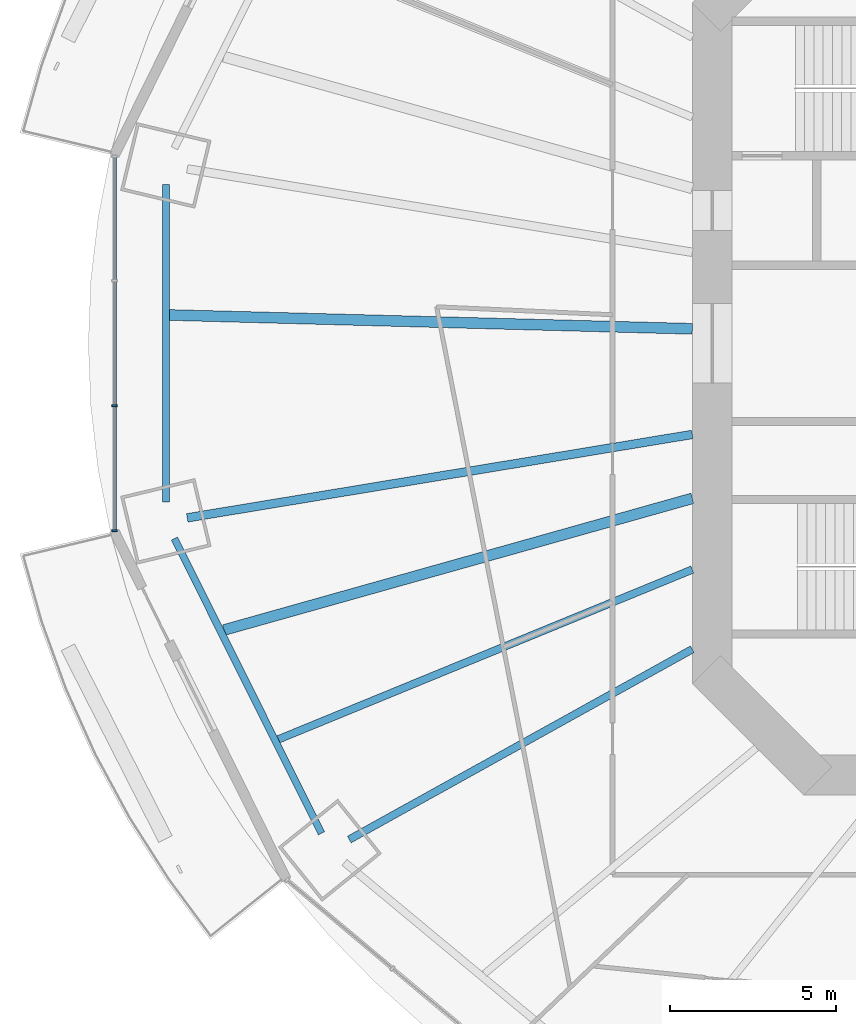
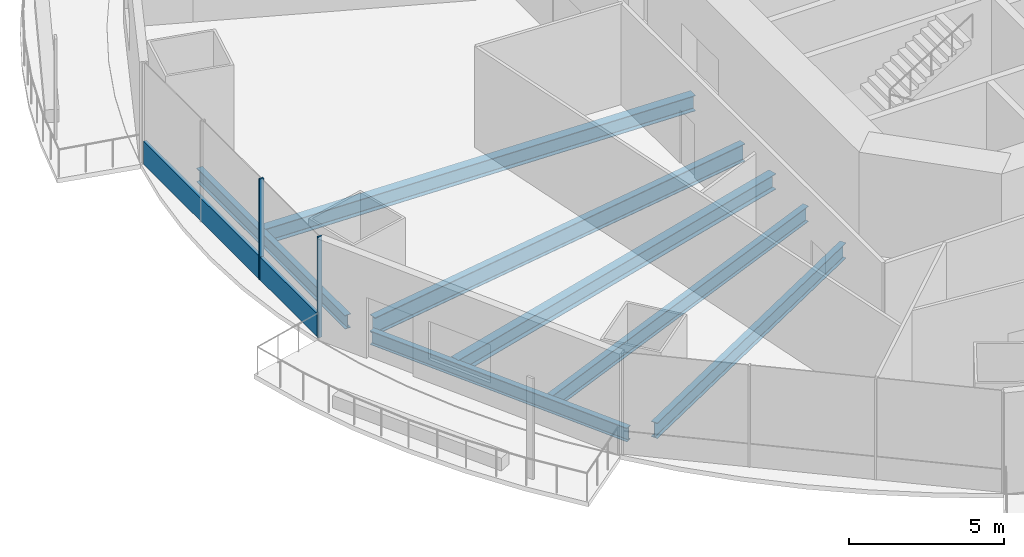
# One storey, part 3 of 22: 7 beams, 3 members, 1 element without a shape of its own.
"""IFC4 building model written with IfcOpenShell, lengths in metres."""

from ifc_helpers import new_model, si_unit, direction, frame, origin, origin_2d, place, context, subcontext, project, spatial, rectangle, i_section, extrude, material, material_profile, profile_set, type_object, element, aggregate, save


model = new_model("IFC4")

# Units and contexts
model_context = context("Model", 3, precision=1e-05, world=origin(), true_north=direction((0.0, 1.0)))
body_context = subcontext(model_context, "Body", "Model", "MODEL_VIEW")
ifc_project = project(units=[si_unit("LENGTHUNIT", "METRE"), si_unit("AREAUNIT", "SQUARE_METRE"), si_unit("VOLUMEUNIT", "CUBIC_METRE"), si_unit("PLANEANGLEUNIT", "RADIAN"), si_unit("MASSUNIT", "GRAM", prefix="KILO")], contexts=[model_context])

# Site, building, storey
site_placement = place(None, origin())
site = spatial("IfcSite", under=ifc_project, at=site_placement, CompositionType="ELEMENT")
building_placement = place(site_placement, origin())
building = spatial("IfcBuilding", under=site, at=building_placement, Name="Marenthal Gate Tower", CompositionType="ELEMENT")
storey_placement = place(building_placement, frame((0.0, 0.0, 103.550048828125)))
storey = spatial("IfcBuildingStorey", under=building, at=storey_placement, Name="L21", CompositionType="ELEMENT", Elevation=103.550048828125)

# Curtain wall, members
ifc_material_1 = material(Name="Aluminium and glass", Category="aluminium")
curtain_wall_type = type_object("IfcCurtainWallType", Name="Curtain wall typical low", PredefinedType="NOTDEFINED", material=ifc_material_1)
curtain_wall_placement = place(storey_placement, origin())
curtain_wall = element("IfcCurtainWall", 1, at=curtain_wall_placement, inside=storey, type_object=curtain_wall_type, Name="Curtain wall L21 bay 8", PredefinedType="NOTDEFINED")
ifc_material_2 = material(Name="Aluminium", Category="aluminium")
ifc_material_profile_1 = material_profile(ifc_material_2, rectangle(XDim=0.159912109375, YDim=0.06005859375, at=origin_2d()), Name="60x160 aluminium mullion")
ifc_profile_set_1 = profile_set([ifc_material_profile_1], Name="Aluminium")
member_type_1 = type_object("IfcMemberType", Name="Mullion 60x160 typical low", PredefinedType="MULLION", material=ifc_profile_set_1)
member_1_placement = place(storey_placement, frame((-34.001953125, -1.87939453125, 0.0), z_axis=(0.0, 0.0, 1.0), x_axis=(1.0, 0.0, 0.0)))
member_1 = element("IfcMember", 2, at=member_1_placement, type_object=member_type_1, Name="Mullion L21 bay 8.3", PredefinedType="MULLION", context=body_context, shape_type="SweptSolid", body=[
    extrude(rectangle(XDim=0.159912109375, YDim=0.06005859375, at=origin_2d()), origin(), (0.0, 0.0, 1.0), 3.969970703125),
])
member_2_placement = place(storey_placement, frame((-34.001953125, -5.637939453125, 0.0), z_axis=(0.0, 0.0, 1.0), x_axis=(1.0, 0.0, 0.0)))
member_2 = element("IfcMember", 3, at=member_2_placement, type_object=member_type_1, Name="Mullion L21 bay 8.4", PredefinedType="MULLION", context=body_context, shape_type="SweptSolid", body=[
    extrude(rectangle(XDim=0.159912109375, YDim=0.06005859375, at=origin_2d()), origin(), (0.0, 0.0, 1.0), 3.969970703125),
])
ifc_material_3 = material(Name="Aluminium", Category="aluminium")
ifc_material_profile_2 = material_profile(ifc_material_3, rectangle(XDim=0.1201171875, YDim=0.89990234375, at=origin_2d()), Name="120x900 aluminium transom")
ifc_profile_set_2 = profile_set([ifc_material_profile_2], Name="Aluminium")
member_type_2 = type_object("IfcMemberType", Name="Transom 120x900 typical low", PredefinedType="USERDEFINED", material=ifc_profile_set_2)
member_3_placement = place(storey_placement, frame((-34.001953125, 5.60791015625, 0.449951171875), z_axis=(0.0, -1.0, 0.0), x_axis=(1.0, 0.0, 0.0)))
member_3 = element("IfcMember", 4, at=member_3_placement, type_object=member_type_2, Name="Transom L21 bay 8", ObjectType="TRANSOM", PredefinedType="USERDEFINED", context=body_context, shape_type="SweptSolid", body=[
    extrude(rectangle(XDim=0.1201171875, YDim=0.89990234375, at=origin_2d()), origin(), (0.0, 0.0, 1.0), 11.2158203125),
])
aggregate(curtain_wall, [member_1, member_2, member_3])

# Beams
ifc_material_4 = material(Name="Steel S355", Category="steel")
ifc_material_profile_3 = material_profile(ifc_material_4, i_section(OverallWidth=0.2119140625, OverallDepth=0.5439453125, WebThickness=0.01318359375, FlangeThickness=0.021240234375, FilletRadius=0.0126953125, at=origin_2d()), Name="W530X123")
ifc_profile_set_3 = profile_set([ifc_material_profile_3], Name="Steel S355")
beam_type_1 = type_object("IfcBeamType", Name="W530X123 beam", PredefinedType="BEAM", material=ifc_profile_set_3)
beam_1_placement = place(storey_placement, frame((-32.4521484375, 4.780029296875, -0.4521484375), z_axis=(0.0, -1.0, 0.0), x_axis=(1.0, 0.0, 0.0)))
element("IfcBeam", 5, at=beam_1_placement, inside=storey, type_object=beam_type_1, Name="BM-L21-48", PredefinedType="BEAM", context=body_context, shape_type="SweptSolid", body=[
    extrude(i_section(OverallWidth=0.2119140625, OverallDepth=0.5439453125, WebThickness=0.01318359375, FlangeThickness=0.021240234375, FilletRadius=0.0126953125, at=origin_2d()), origin(), (0.0, 0.0, 1.0), 9.56005859375),
])
beam_2_placement = place(storey_placement, frame((-32.1943359375, -5.876708984375, -0.4521484375), z_axis=(0.446405750938, -0.89483065746, 0.0), x_axis=(0.89483065746, 0.446405750938, 0.0)))
element("IfcBeam", 6, at=beam_2_placement, inside=storey, type_object=beam_type_1, Name="BM-L21-49", PredefinedType="BEAM", context=body_context, shape_type="SweptSolid", body=[
    extrude(i_section(OverallWidth=0.2119140625, OverallDepth=0.5439453125, WebThickness=0.01318359375, FlangeThickness=0.021240234375, FilletRadius=0.0126953125, at=origin_2d()), origin(), (0.0, 0.0, 1.0), 9.914794921875),
])
ifc_material_5 = material(Name="Steel S355", Category="steel")
ifc_material_profile_4 = material_profile(ifc_material_5, i_section(OverallWidth=0.22900390625, OverallDepth=0.612060546875, WebThickness=0.011962890625, FlangeThickness=0.01953125, FilletRadius=0.0126953125, at=origin_2d()), Name="W610X125")
ifc_profile_set_4 = profile_set([ifc_material_profile_4], Name="Steel S355")
beam_type_2 = type_object("IfcBeamType", Name="W610X125 beam", PredefinedType="BEAM", material=ifc_profile_set_4)
beam_3_placement = place(storey_placement, frame((-26.928466796875, -14.939697265625, -0.486083984375), z_axis=(0.874435979354, 0.485140925929, 0.0), x_axis=(-0.485140925929, 0.874435979354, 0.0)))
element("IfcBeam", 7, at=beam_3_placement, inside=storey, type_object=beam_type_2, Name="BM-L21-10", PredefinedType="BEAM", context=body_context, shape_type="SweptSolid", body=[
    extrude(i_section(OverallWidth=0.22900390625, OverallDepth=0.612060546875, WebThickness=0.011962890625, FlangeThickness=0.01953125, FilletRadius=0.0126953125, at=origin_2d()), origin(), (0.0, 0.0, 1.0), 11.8115234375),
])
beam_4_placement = place(storey_placement, frame((-29.060302734375, -11.921630859375, -0.486083984375), z_axis=(0.925176615925, 0.379536861642, 0.0), x_axis=(-0.379536861642, 0.925176615925, 0.0)))
element("IfcBeam", 8, at=beam_4_placement, inside=storey, type_object=beam_type_2, Name="BM-L21-30", PredefinedType="BEAM", context=body_context, shape_type="SweptSolid", body=[
    extrude(i_section(OverallWidth=0.22900390625, OverallDepth=0.612060546875, WebThickness=0.011962890625, FlangeThickness=0.01953125, FilletRadius=0.0126953125, at=origin_2d()), origin(), (0.0, 0.0, 1.0), 13.468017578125),
])
ifc_material_6 = material(Name="Steel S355", Category="steel")
ifc_material_profile_5 = material_profile(ifc_material_6, i_section(OverallWidth=0.324951171875, OverallDepth=0.612060546875, WebThickness=0.0126953125, FlangeThickness=0.01904296875, FilletRadius=0.0126953125, at=origin_2d()), Name="W610X155")
ifc_profile_set_5 = profile_set([ifc_material_profile_5], Name="Steel S355")
beam_type_3 = type_object("IfcBeamType", Name="W610X155 beam", PredefinedType="BEAM", material=ifc_profile_set_5)
beam_5_placement = place(storey_placement, frame((-32.34619140625, 0.854736328125, -0.486083984375), z_axis=(0.999651167987, -0.026411026889, 0.0), x_axis=(0.026411026889, 0.999651167987, 0.0)))
element("IfcBeam", 9, at=beam_5_placement, inside=storey, type_object=beam_type_3, Name="BM-L21-28", PredefinedType="BEAM", context=body_context, shape_type="SweptSolid", body=[
    extrude(i_section(OverallWidth=0.324951171875, OverallDepth=0.612060546875, WebThickness=0.0126953125, FlangeThickness=0.01904296875, FilletRadius=0.0126953125, at=origin_2d()), origin(), (0.0, 0.0, 1.0), 15.751708984375),
])
beam_6_placement = place(storey_placement, frame((-30.701416015625, -8.631591796875, -0.486083984375), z_axis=(0.962675778396, 0.270657247621, 0.0), x_axis=(-0.270657247621, 0.962675778396, 0.0)))
element("IfcBeam", 10, at=beam_6_placement, inside=storey, type_object=beam_type_3, Name="BM-L21-29", PredefinedType="BEAM", context=body_context, shape_type="SweptSolid", body=[
    extrude(i_section(OverallWidth=0.324951171875, OverallDepth=0.612060546875, WebThickness=0.0126953125, FlangeThickness=0.01904296875, FilletRadius=0.0126953125, at=origin_2d()), origin(), (0.0, 0.0, 1.0), 14.64794921875),
])
ifc_material_7 = material(Name="Steel S355", Category="steel")
ifc_material_profile_6 = material_profile(ifc_material_7, i_section(OverallWidth=0.257080078125, OverallDepth=0.693115234375, WebThickness=0.014404296875, FlangeThickness=0.023681640625, FilletRadius=0.015380859375, at=origin_2d()), Name="W690X170")
ifc_profile_set_6 = profile_set([ifc_material_profile_6], Name="Steel S355")
beam_type_4 = type_object("IfcBeamType", Name="W690X170 beam", PredefinedType="BEAM", material=ifc_profile_set_6)
beam_7_placement = place(storey_placement, frame((-31.80810546875, -5.25341796875, -0.526611328125), z_axis=(0.986634295721, 0.162950196404, 0.0), x_axis=(-0.162950196404, 0.986634295721, 0.0)))
element("IfcBeam", 11, at=beam_7_placement, inside=storey, type_object=beam_type_4, Name="BM-L21-09", PredefinedType="BEAM", context=body_context, shape_type="SweptSolid", body=[
    extrude(i_section(OverallWidth=0.257080078125, OverallDepth=0.693115234375, WebThickness=0.014404296875, FlangeThickness=0.023681640625, FilletRadius=0.015380859375, at=origin_2d()), origin(), (0.0, 0.0, 1.0), 15.4140625),
])

save(model, "model.ifc")
